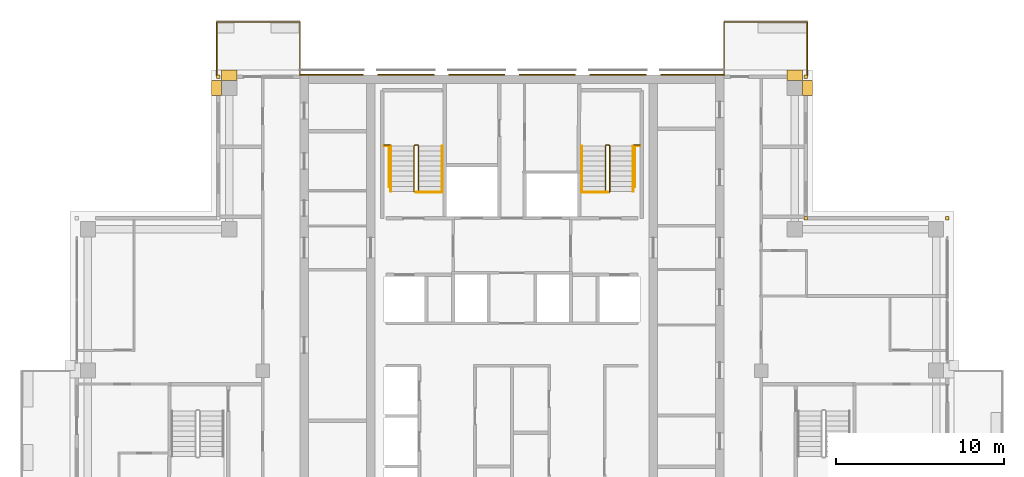
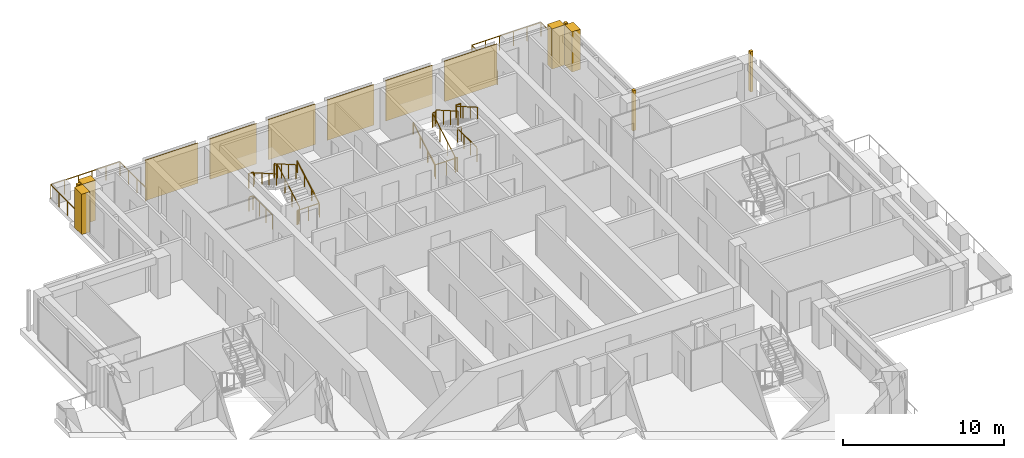
# One storey, part 17 of 17: 14 coverings, 14 railings.
"""IFC4 building model written with IfcOpenShell, lengths in metres."""

from ifc_helpers import new_model, si_unit, direction, frame, origin, origin_2d, place, context, subcontext, project, spatial, polyline, rectangle, outline, extrude, material, type_object, element, save


model = new_model("IFC4")

# Units and contexts
model_context = context("Model", 3, precision=1e-05, world=origin(), true_north=direction((0.0, 1.0)))
body_context = subcontext(model_context, "Body", "Model", "MODEL_VIEW")
ifc_project = project(units=[si_unit("LENGTHUNIT", "METRE"), si_unit("AREAUNIT", "SQUARE_METRE"), si_unit("VOLUMEUNIT", "CUBIC_METRE"), si_unit("PLANEANGLEUNIT", "RADIAN"), si_unit("MASSUNIT", "GRAM", prefix="KILO")], contexts=[model_context])

# Site, building, storey
site_placement = place(None, origin())
site = spatial("IfcSite", under=ifc_project, at=site_placement, CompositionType="ELEMENT")
building_placement = place(site_placement, origin())
building = spatial("IfcBuilding", under=site, at=building_placement, Name="Vermilion Ogive Tower", CompositionType="ELEMENT")
storey_placement = place(building_placement, frame((0.0, 0.0, 244.14990234375)))
storey = spatial("IfcBuildingStorey", under=building, at=storey_placement, Name="L64", CompositionType="ELEMENT", Elevation=244.14990234375)

# Railings
ifc_material_1 = material(Name="Stainless steel and glass", Category="steel")
railing_type_1 = type_object("IfcRailingType", Name="Balcony guard", PredefinedType="GUARDRAIL", material=ifc_material_1)
railing_1_placement = place(storey_placement, frame((17.550048828125, 21.75, -0.039794921875)))
element("IfcRailing", 1, at=railing_1_placement, inside=storey, type_object=railing_type_1, Name="Guard N101", PredefinedType="GUARDRAIL", context=body_context, shape_type="SweptSolid", body=[
    extrude(rectangle(XDim=0.048095703125, YDim=0.048095703125, at=origin_2d()), frame((0.0, 0.0, 1.076171875), z_axis=(0.0, 1.0, 0.0), x_axis=(-1.0, 0.0, 0.0)), (0.0, 0.0, 1.0), 3.159912109375),
    extrude(rectangle(XDim=0.048095703125, YDim=0.048095703125, at=origin_2d()), frame((0.0, 3.159912109375, 1.076171875), z_axis=(-1.0, 0.0, 0.0), x_axis=(0.0, -1.0, 0.0)), (0.0, 0.0, 1.0), 4.949951171875),
    extrude(rectangle(XDim=0.048095703125, YDim=0.048095703125, at=origin_2d()), frame((-4.949951171875, 3.159912109375, 1.076171875), z_axis=(0.0, -1.0, 0.0), x_axis=(1.0, 0.0, 0.0)), (0.0, 0.0, 1.0), 3.159912109375),
    extrude(rectangle(XDim=0.0419921875, YDim=0.0419921875, at=origin_2d()), origin(), (0.0, 0.0, 1.0), 1.052001953125),
    extrude(rectangle(XDim=0.0419921875, YDim=0.0419921875, at=origin_2d()), frame((0.0, 1.05322265625, 0.0)), (0.0, 0.0, 1.0), 1.052001953125),
    extrude(rectangle(XDim=0.0419921875, YDim=0.0419921875, at=origin_2d()), frame((0.0, 2.106689453125, 0.0)), (0.0, 0.0, 1.0), 1.052001953125),
    extrude(rectangle(XDim=0.0419921875, YDim=0.0419921875, at=origin_2d()), frame((0.0, 3.159912109375, 0.0)), (0.0, 0.0, 1.0), 1.052001953125),
    extrude(rectangle(XDim=0.0419921875, YDim=0.0419921875, at=origin_2d()), frame((-0.989990234375, 3.159912109375, 0.0)), (0.0, 0.0, 1.0), 1.052001953125),
    extrude(rectangle(XDim=0.0419921875, YDim=0.0419921875, at=origin_2d()), frame((-1.97998046875, 3.159912109375, 0.0)), (0.0, 0.0, 1.0), 1.052001953125),
    extrude(rectangle(XDim=0.0419921875, YDim=0.0419921875, at=origin_2d()), frame((-2.969970703125, 3.159912109375, 0.0)), (0.0, 0.0, 1.0), 1.052001953125),
    extrude(rectangle(XDim=0.0419921875, YDim=0.0419921875, at=origin_2d()), frame((-3.9599609375, 3.159912109375, 0.0)), (0.0, 0.0, 1.0), 1.052001953125),
    extrude(rectangle(XDim=0.0419921875, YDim=0.0419921875, at=origin_2d()), frame((-4.949951171875, 3.159912109375, 0.0)), (0.0, 0.0, 1.0), 1.052001953125),
    extrude(rectangle(XDim=0.0419921875, YDim=0.0419921875, at=origin_2d()), frame((-4.949951171875, 2.106689453125, 0.0)), (0.0, 0.0, 1.0), 1.052001953125),
    extrude(rectangle(XDim=0.0419921875, YDim=0.0419921875, at=origin_2d()), frame((-4.949951171875, 1.05322265625, 0.0)), (0.0, 0.0, 1.0), 1.052001953125),
    extrude(rectangle(XDim=0.0419921875, YDim=0.0419921875, at=origin_2d()), frame((-4.949951171875, 0.0, 0.0)), (0.0, 0.0, 1.0), 1.052001953125),
])
railing_2_placement = place(storey_placement, frame((-12.60009765625, 21.75, -0.039794921875)))
element("IfcRailing", 2, at=railing_2_placement, inside=storey, type_object=railing_type_1, Name="Guard N201", PredefinedType="GUARDRAIL", context=body_context, shape_type="SweptSolid", body=[
    extrude(rectangle(XDim=0.048095703125, YDim=0.048095703125, at=origin_2d()), frame((0.0, 0.0, 1.076171875), z_axis=(0.0, 1.0, 0.0), x_axis=(-1.0, 0.0, 0.0)), (0.0, 0.0, 1.0), 3.159912109375),
    extrude(rectangle(XDim=0.048095703125, YDim=0.048095703125, at=origin_2d()), frame((0.0, 3.159912109375, 1.076171875), z_axis=(-1.0, 0.0, 0.0), x_axis=(0.0, -1.0, 0.0)), (0.0, 0.0, 1.0), 4.949951171875),
    extrude(rectangle(XDim=0.048095703125, YDim=0.048095703125, at=origin_2d()), frame((-4.949951171875, 3.159912109375, 1.076171875), z_axis=(0.0, -1.0, 0.0), x_axis=(1.0, 0.0, 0.0)), (0.0, 0.0, 1.0), 3.159912109375),
    extrude(rectangle(XDim=0.0419921875, YDim=0.0419921875, at=origin_2d()), origin(), (0.0, 0.0, 1.0), 1.052001953125),
    extrude(rectangle(XDim=0.0419921875, YDim=0.0419921875, at=origin_2d()), frame((0.0, 1.05322265625, 0.0)), (0.0, 0.0, 1.0), 1.052001953125),
    extrude(rectangle(XDim=0.0419921875, YDim=0.0419921875, at=origin_2d()), frame((0.0, 2.106689453125, 0.0)), (0.0, 0.0, 1.0), 1.052001953125),
    extrude(rectangle(XDim=0.0419921875, YDim=0.0419921875, at=origin_2d()), frame((0.0, 3.159912109375, 0.0)), (0.0, 0.0, 1.0), 1.052001953125),
    extrude(rectangle(XDim=0.0419921875, YDim=0.0419921875, at=origin_2d()), frame((-0.989990234375, 3.159912109375, 0.0)), (0.0, 0.0, 1.0), 1.052001953125),
    extrude(rectangle(XDim=0.0419921875, YDim=0.0419921875, at=origin_2d()), frame((-1.97998046875, 3.159912109375, 0.0)), (0.0, 0.0, 1.0), 1.052001953125),
    extrude(rectangle(XDim=0.0419921875, YDim=0.0419921875, at=origin_2d()), frame((-2.969970703125, 3.159912109375, 0.0)), (0.0, 0.0, 1.0), 1.052001953125),
    extrude(rectangle(XDim=0.0419921875, YDim=0.0419921875, at=origin_2d()), frame((-3.9599609375, 3.159912109375, 0.0)), (0.0, 0.0, 1.0), 1.052001953125),
    extrude(rectangle(XDim=0.0419921875, YDim=0.0419921875, at=origin_2d()), frame((-4.949951171875, 3.159912109375, 0.0)), (0.0, 0.0, 1.0), 1.052001953125),
    extrude(rectangle(XDim=0.0419921875, YDim=0.0419921875, at=origin_2d()), frame((-4.949951171875, 2.106689453125, 0.0)), (0.0, 0.0, 1.0), 1.052001953125),
    extrude(rectangle(XDim=0.0419921875, YDim=0.0419921875, at=origin_2d()), frame((-4.949951171875, 1.05322265625, 0.0)), (0.0, 0.0, 1.0), 1.052001953125),
    extrude(rectangle(XDim=0.0419921875, YDim=0.0419921875, at=origin_2d()), frame((-4.949951171875, 0.0, 0.0)), (0.0, 0.0, 1.0), 1.052001953125),
])
ifc_material_2 = material(Name="Steel S355 painted", Category="steel")
railing_type_2 = type_object("IfcRailingType", Name="Stair guard 1100", PredefinedType="GUARDRAIL", material=ifc_material_2)
railing_3_placement = place(storey_placement, frame((-5.75, 14.800048828125, 0.0)))
element("IfcRailing", 3, at=railing_3_placement, inside=storey, type_object=railing_type_2, Name="L64 ST1 stair guard 4", PredefinedType="GUARDRAIL", context=body_context, shape_type="SweptSolid", body=[
    extrude(rectangle(XDim=0.048095703125, YDim=0.048095703125, at=origin_2d()), frame((0.0, 0.0, 1.076171875), z_axis=(1.0, 0.0, 0.0), x_axis=(0.0, 1.0, 0.0)), (0.0, 0.0, 1.0), 0.14990234375),
    extrude(rectangle(XDim=0.048095703125, YDim=0.048095703125, at=origin_2d()), frame((0.14990234375, 0.0, 1.076171875), z_axis=(0.268277960024, 0.268277960024, 0.925231793839), x_axis=(-0.707106781187, 0.707106781187, 0.0)), (0.0, 0.0, 1.0), 0.1865234375),
    extrude(rectangle(XDim=0.048095703125, YDim=0.048095703125, at=origin_2d()), frame((0.199951171875, 0.050048828125, 1.24853515625), z_axis=(0.0, 0.866903762492, 0.498475542607), x_axis=(-1.0, 0.0, 0.0)), (0.0, 0.0, 1.0), 3.114501953125),
    extrude(rectangle(XDim=0.048095703125, YDim=0.048095703125, at=origin_2d()), frame((0.199951171875, 2.75, 2.80126953125), z_axis=(-0.707106781187, 0.707106781187, 0.0), x_axis=(-0.707106781187, -0.707106781187, 0.0)), (0.0, 0.0, 1.0), 0.07080078125),
    extrude(rectangle(XDim=0.048095703125, YDim=0.048095703125, at=origin_2d()), frame((0.14990234375, 2.800048828125, 2.80126953125), z_axis=(-1.0, 0.0, 0.0), x_axis=(0.0, -1.0, 0.0)), (0.0, 0.0, 1.0), 0.14990234375),
    extrude(rectangle(XDim=0.048095703125, YDim=0.048095703125, at=origin_2d()), frame((0.0, 2.800048828125, 2.80126953125), z_axis=(-0.268277960024, -0.268277960024, 0.925231793839), x_axis=(0.707106781187, -0.707106781187, 0.0)), (0.0, 0.0, 1.0), 0.1865234375),
    extrude(rectangle(XDim=0.048095703125, YDim=0.048095703125, at=origin_2d()), frame((-0.050048828125, 2.75, 2.9736328125), z_axis=(0.0, -0.866903762492, 0.498475542607), x_axis=(1.0, 0.0, 0.0)), (0.0, 0.0, 1.0), 3.114501953125),
    extrude(rectangle(XDim=0.0419921875, YDim=0.0419921875, at=origin_2d()), origin(), (0.0, 0.0, 1.0), 1.052001953125),
    extrude(rectangle(XDim=0.0419921875, YDim=0.0419921875, at=origin_2d()), frame((0.14990234375, 0.0, 0.0)), (0.0, 0.0, 1.0), 1.052001953125),
    extrude(rectangle(XDim=0.0419921875, YDim=0.0419921875, at=origin_2d()), frame((0.199951171875, 0.050048828125, 0.172607421875)), (0.0, 0.0, 1.0), 1.052001953125),
    extrude(rectangle(XDim=0.0419921875, YDim=0.0419921875, at=origin_2d()), frame((0.199951171875, 0.949951171875, 0.690185546875)), (0.0, 0.0, 1.0), 1.052001953125),
    extrude(rectangle(XDim=0.0419921875, YDim=0.0419921875, at=origin_2d()), frame((0.199951171875, 1.85009765625, 1.20751953125)), (0.0, 0.0, 1.0), 1.052001953125),
    extrude(rectangle(XDim=0.0419921875, YDim=0.0419921875, at=origin_2d()), frame((0.199951171875, 2.75, 1.72509765625)), (0.0, 0.0, 1.0), 1.052001953125),
    extrude(rectangle(XDim=0.0419921875, YDim=0.0419921875, at=origin_2d()), frame((0.14990234375, 2.800048828125, 1.72509765625)), (0.0, 0.0, 1.0), 1.052001953125),
    extrude(rectangle(XDim=0.0419921875, YDim=0.0419921875, at=origin_2d()), frame((0.0, 2.800048828125, 1.72509765625)), (0.0, 0.0, 1.0), 1.052001953125),
    extrude(rectangle(XDim=0.0419921875, YDim=0.0419921875, at=origin_2d()), frame((-0.050048828125, 2.75, 1.897705078125)), (0.0, 0.0, 1.0), 1.052001953125),
    extrude(rectangle(XDim=0.0419921875, YDim=0.0419921875, at=origin_2d()), frame((-0.050048828125, 1.85009765625, 2.415283203125)), (0.0, 0.0, 1.0), 1.052001953125),
    extrude(rectangle(XDim=0.0419921875, YDim=0.0419921875, at=origin_2d()), frame((-0.050048828125, 0.949951171875, 2.9326171875)), (0.0, 0.0, 1.0), 1.052001953125),
    extrude(rectangle(XDim=0.0419921875, YDim=0.0419921875, at=origin_2d()), frame((-0.050048828125, 0.050048828125, 3.4501953125)), (0.0, 0.0, 1.0), 1.052001953125),
])
railing_4_placement = place(storey_placement, frame((5.75, 14.800048828125, 0.0)))
element("IfcRailing", 4, at=railing_4_placement, inside=storey, type_object=railing_type_2, Name="L64 ST2 stair guard 4", PredefinedType="GUARDRAIL", context=body_context, shape_type="SweptSolid", body=[
    extrude(rectangle(XDim=0.048095703125, YDim=0.048095703125, at=origin_2d()), frame((0.0, 0.0, 1.076171875), z_axis=(-1.0, 0.0, 0.0), x_axis=(0.0, -1.0, 0.0)), (0.0, 0.0, 1.0), 0.14990234375),
    extrude(rectangle(XDim=0.048095703125, YDim=0.048095703125, at=origin_2d()), frame((-0.14990234375, 0.0, 1.076171875), z_axis=(-0.268277960024, 0.268277960024, 0.925231793839), x_axis=(-0.707106781187, -0.707106781187, 0.0)), (0.0, 0.0, 1.0), 0.1865234375),
    extrude(rectangle(XDim=0.048095703125, YDim=0.048095703125, at=origin_2d()), frame((-0.199951171875, 0.050048828125, 1.24853515625), z_axis=(0.0, 0.866903762492, 0.498475542607), x_axis=(-1.0, 0.0, 0.0)), (0.0, 0.0, 1.0), 3.114501953125),
    extrude(rectangle(XDim=0.048095703125, YDim=0.048095703125, at=origin_2d()), frame((-0.199951171875, 2.75, 2.80126953125), z_axis=(0.707106781187, 0.707106781187, 0.0), x_axis=(-0.707106781187, 0.707106781187, 0.0)), (0.0, 0.0, 1.0), 0.07080078125),
    extrude(rectangle(XDim=0.048095703125, YDim=0.048095703125, at=origin_2d()), frame((-0.14990234375, 2.800048828125, 2.80126953125), z_axis=(1.0, 0.0, 0.0), x_axis=(0.0, 1.0, 0.0)), (0.0, 0.0, 1.0), 0.14990234375),
    extrude(rectangle(XDim=0.048095703125, YDim=0.048095703125, at=origin_2d()), frame((0.0, 2.800048828125, 2.80126953125), z_axis=(0.268277960024, -0.268277960024, 0.925231793839), x_axis=(0.707106781187, 0.707106781187, 0.0)), (0.0, 0.0, 1.0), 0.1865234375),
    extrude(rectangle(XDim=0.048095703125, YDim=0.048095703125, at=origin_2d()), frame((0.050048828125, 2.75, 2.9736328125), z_axis=(0.0, -0.866903762492, 0.498475542607), x_axis=(1.0, 0.0, 0.0)), (0.0, 0.0, 1.0), 3.114501953125),
    extrude(rectangle(XDim=0.0419921875, YDim=0.0419921875, at=origin_2d()), origin(), (0.0, 0.0, 1.0), 1.052001953125),
    extrude(rectangle(XDim=0.0419921875, YDim=0.0419921875, at=origin_2d()), frame((-0.14990234375, 0.0, 0.0)), (0.0, 0.0, 1.0), 1.052001953125),
    extrude(rectangle(XDim=0.0419921875, YDim=0.0419921875, at=origin_2d()), frame((-0.199951171875, 0.050048828125, 0.172607421875)), (0.0, 0.0, 1.0), 1.052001953125),
    extrude(rectangle(XDim=0.0419921875, YDim=0.0419921875, at=origin_2d()), frame((-0.199951171875, 0.949951171875, 0.690185546875)), (0.0, 0.0, 1.0), 1.052001953125),
    extrude(rectangle(XDim=0.0419921875, YDim=0.0419921875, at=origin_2d()), frame((-0.199951171875, 1.85009765625, 1.20751953125)), (0.0, 0.0, 1.0), 1.052001953125),
    extrude(rectangle(XDim=0.0419921875, YDim=0.0419921875, at=origin_2d()), frame((-0.199951171875, 2.75, 1.72509765625)), (0.0, 0.0, 1.0), 1.052001953125),
    extrude(rectangle(XDim=0.0419921875, YDim=0.0419921875, at=origin_2d()), frame((-0.14990234375, 2.800048828125, 1.72509765625)), (0.0, 0.0, 1.0), 1.052001953125),
    extrude(rectangle(XDim=0.0419921875, YDim=0.0419921875, at=origin_2d()), frame((0.0, 2.800048828125, 1.72509765625)), (0.0, 0.0, 1.0), 1.052001953125),
    extrude(rectangle(XDim=0.0419921875, YDim=0.0419921875, at=origin_2d()), frame((0.050048828125, 2.75, 1.897705078125)), (0.0, 0.0, 1.0), 1.052001953125),
    extrude(rectangle(XDim=0.0419921875, YDim=0.0419921875, at=origin_2d()), frame((0.050048828125, 1.85009765625, 2.415283203125)), (0.0, 0.0, 1.0), 1.052001953125),
    extrude(rectangle(XDim=0.0419921875, YDim=0.0419921875, at=origin_2d()), frame((0.050048828125, 0.949951171875, 2.9326171875)), (0.0, 0.0, 1.0), 1.052001953125),
    extrude(rectangle(XDim=0.0419921875, YDim=0.0419921875, at=origin_2d()), frame((0.050048828125, 0.050048828125, 3.4501953125)), (0.0, 0.0, 1.0), 1.052001953125),
])
for number, where, name in (
    (5, (-7.60009765625, 17.60009765625, 1.72509765625), "L64 landing guard"),
    (6, (7.25, 17.60009765625, 1.72509765625), "L64 landing guard"),
):
    element("IfcRailing", number, at=place(storey_placement, frame(where)), inside=storey, type_object=railing_type_2, Name=name, PredefinedType="GUARDRAIL", context=body_context, shape_type="SweptSolid", body=[
        extrude(rectangle(XDim=0.048095703125, YDim=0.048095703125, at=origin_2d()), frame((0.0, 0.0, 1.076171875), z_axis=(1.0, 0.0, 0.0), x_axis=(0.0, 1.0, 0.0)), (0.0, 0.0, 1.0), 0.35009765625),
        extrude(rectangle(XDim=0.0419921875, YDim=0.0419921875, at=origin_2d()), origin(), (0.0, 0.0, 1.0), 1.052001953125),
        extrude(rectangle(XDim=0.0419921875, YDim=0.0419921875, at=origin_2d()), frame((0.35009765625, 0.0, 0.0)), (0.0, 0.0, 1.0), 1.052001953125),
    ])
railing_5_placement = place(storey_placement, frame((-4.159912109375, 14.7900390625, 0.0)))
element("IfcRailing", 7, at=railing_5_placement, inside=storey, type_object=railing_type_2, Name="L64 stair opening guard", PredefinedType="GUARDRAIL", context=body_context, shape_type="SweptSolid", body=[
    extrude(rectangle(XDim=0.048095703125, YDim=0.048095703125, at=origin_2d()), frame((0.0, 0.0, 1.076171875), z_axis=(-1.0, 0.0, 0.0), x_axis=(0.0, -1.0, 0.0)), (0.0, 0.0, 1.0), 1.5400390625),
    extrude(rectangle(XDim=0.0419921875, YDim=0.0419921875, at=origin_2d()), origin(), (0.0, 0.0, 1.0), 1.052001953125),
    extrude(rectangle(XDim=0.0419921875, YDim=0.0419921875, at=origin_2d()), frame((-0.77001953125, 0.0, 0.0)), (0.0, 0.0, 1.0), 1.052001953125),
    extrude(rectangle(XDim=0.0419921875, YDim=0.0419921875, at=origin_2d()), frame((-1.5400390625, 0.0, 0.0)), (0.0, 0.0, 1.0), 1.052001953125),
])
railing_6_placement = place(storey_placement, frame((-7.3095703125, 15.11865234375, 0.0)))
element("IfcRailing", 8, at=railing_6_placement, inside=storey, type_object=railing_type_2, Name="L64 stair opening guard", PredefinedType="GUARDRAIL", context=body_context, shape_type="SweptSolid", body=[
    extrude(rectangle(XDim=0.048095703125, YDim=0.048095703125, at=origin_2d()), frame((0.0, 0.0, 1.076171875), z_axis=(0.0, 1.0, 0.0), x_axis=(-1.0, 0.0, 0.0)), (0.0, 0.0, 1.0), 2.42431640625),
    extrude(rectangle(XDim=0.048095703125, YDim=0.048095703125, at=origin_2d()), frame((0.0, 2.42431640625, 1.076171875), z_axis=(-1.0, 0.0, 0.0), x_axis=(0.0, -1.0, 0.0)), (0.0, 0.0, 1.0), 0.2900390625),
    extrude(rectangle(XDim=0.0419921875, YDim=0.0419921875, at=origin_2d()), origin(), (0.0, 0.0, 1.0), 1.052001953125),
    extrude(rectangle(XDim=0.0419921875, YDim=0.0419921875, at=origin_2d()), frame((0.0, 0.80810546875, 0.0)), (0.0, 0.0, 1.0), 1.052001953125),
    extrude(rectangle(XDim=0.0419921875, YDim=0.0419921875, at=origin_2d()), frame((0.0, 1.6162109375, 0.0)), (0.0, 0.0, 1.0), 1.052001953125),
    extrude(rectangle(XDim=0.0419921875, YDim=0.0419921875, at=origin_2d()), frame((0.0, 2.42431640625, 0.0)), (0.0, 0.0, 1.0), 1.052001953125),
    extrude(rectangle(XDim=0.0419921875, YDim=0.0419921875, at=origin_2d()), frame((-0.2900390625, 2.42431640625, 0.0)), (0.0, 0.0, 1.0), 1.052001953125),
])
railing_7_placement = place(storey_placement, frame((7.599609375, 17.54296875, 0.0)))
element("IfcRailing", 9, at=railing_7_placement, inside=storey, type_object=railing_type_2, Name="L64 stair opening guard", PredefinedType="GUARDRAIL", context=body_context, shape_type="SweptSolid", body=[
    extrude(rectangle(XDim=0.048095703125, YDim=0.048095703125, at=origin_2d()), frame((0.0, 0.0, 1.076171875), z_axis=(-1.0, 0.0, 0.0), x_axis=(0.0, -1.0, 0.0)), (0.0, 0.0, 1.0), 0.2900390625),
    extrude(rectangle(XDim=0.048095703125, YDim=0.048095703125, at=origin_2d()), frame((-0.2900390625, 0.0, 1.076171875), z_axis=(0.0, -1.0, 0.0), x_axis=(1.0, 0.0, 0.0)), (0.0, 0.0, 1.0), 2.42431640625),
    extrude(rectangle(XDim=0.0419921875, YDim=0.0419921875, at=origin_2d()), origin(), (0.0, 0.0, 1.0), 1.052001953125),
    extrude(rectangle(XDim=0.0419921875, YDim=0.0419921875, at=origin_2d()), frame((-0.2900390625, 0.0, 0.0)), (0.0, 0.0, 1.0), 1.052001953125),
    extrude(rectangle(XDim=0.0419921875, YDim=0.0419921875, at=origin_2d()), frame((-0.2900390625, -0.80810546875, 0.0)), (0.0, 0.0, 1.0), 1.052001953125),
    extrude(rectangle(XDim=0.0419921875, YDim=0.0419921875, at=origin_2d()), frame((-0.2900390625, -1.6162109375, 0.0)), (0.0, 0.0, 1.0), 1.052001953125),
    extrude(rectangle(XDim=0.0419921875, YDim=0.0419921875, at=origin_2d()), frame((-0.2900390625, -2.42431640625, 0.0)), (0.0, 0.0, 1.0), 1.052001953125),
])
railing_8_placement = place(storey_placement, frame((5.699951171875, 14.7900390625, 0.0)))
element("IfcRailing", 10, at=railing_8_placement, inside=storey, type_object=railing_type_2, Name="L64 stair opening guard", PredefinedType="GUARDRAIL", context=body_context, shape_type="SweptSolid", body=[
    extrude(rectangle(XDim=0.048095703125, YDim=0.048095703125, at=origin_2d()), frame((0.0, 0.0, 1.076171875), z_axis=(-1.0, 0.0, 0.0), x_axis=(0.0, -1.0, 0.0)), (0.0, 0.0, 1.0), 1.5400390625),
    extrude(rectangle(XDim=0.0419921875, YDim=0.0419921875, at=origin_2d()), origin(), (0.0, 0.0, 1.0), 1.052001953125),
    extrude(rectangle(XDim=0.0419921875, YDim=0.0419921875, at=origin_2d()), frame((-0.77001953125, 0.0, 0.0)), (0.0, 0.0, 1.0), 1.052001953125),
    extrude(rectangle(XDim=0.0419921875, YDim=0.0419921875, at=origin_2d()), frame((-1.5400390625, 0.0, 0.0)), (0.0, 0.0, 1.0), 1.052001953125),
])
ifc_material_3 = material(Name="Stainless steel", Category="steel")
railing_type_3 = type_object("IfcRailingType", Name="Stair handrail 900", PredefinedType="HANDRAIL", material=ifc_material_3)
railing_9_placement = place(storey_placement, frame((-4.14990234375, 14.85009765625, 0.172607421875)))
element("IfcRailing", 11, at=railing_9_placement, inside=storey, type_object=railing_type_3, Name="L64 ST1 stair handrail 1", PredefinedType="HANDRAIL", context=body_context, shape_type="SweptSolid", body=[
    extrude(rectangle(XDim=0.048095703125, YDim=0.048095703125, at=origin_2d()), frame((0.0, 0.0, 0.8759765625), z_axis=(0.0, 0.866903762492, 0.498475542607), x_axis=(-1.0, 0.0, 0.0)), (0.0, 0.0, 1.0), 3.114501953125),
    extrude(rectangle(XDim=0.0419921875, YDim=0.0419921875, at=origin_2d()), origin(), (0.0, 0.0, 1.0), 0.851806640625),
    extrude(rectangle(XDim=0.0419921875, YDim=0.0419921875, at=origin_2d()), frame((0.0, 0.89990234375, 0.517578125)), (0.0, 0.0, 1.0), 0.851806640625),
    extrude(rectangle(XDim=0.0419921875, YDim=0.0419921875, at=origin_2d()), frame((0.0, 1.800048828125, 1.034912109375)), (0.0, 0.0, 1.0), 0.851806640625),
    extrude(rectangle(XDim=0.0419921875, YDim=0.0419921875, at=origin_2d()), frame((0.0, 2.699951171875, 1.552490234375)), (0.0, 0.0, 1.0), 0.851806640625),
])
railing_10_placement = place(storey_placement, frame((-7.199951171875, 17.550048828125, 1.897705078125)))
element("IfcRailing", 12, at=railing_10_placement, inside=storey, type_object=railing_type_3, Name="L64 ST1 stair handrail 2", PredefinedType="HANDRAIL", context=body_context, shape_type="SweptSolid", body=[
    extrude(rectangle(XDim=0.048095703125, YDim=0.048095703125, at=origin_2d()), frame((0.0, 0.0, 0.8759765625), z_axis=(0.0, -0.866903762492, 0.498475542607), x_axis=(1.0, 0.0, 0.0)), (0.0, 0.0, 1.0), 3.114501953125),
    extrude(rectangle(XDim=0.0419921875, YDim=0.0419921875, at=origin_2d()), origin(), (0.0, 0.0, 1.0), 0.851806640625),
    extrude(rectangle(XDim=0.0419921875, YDim=0.0419921875, at=origin_2d()), frame((0.0, -0.89990234375, 0.517578125)), (0.0, 0.0, 1.0), 0.851806640625),
    extrude(rectangle(XDim=0.0419921875, YDim=0.0419921875, at=origin_2d()), frame((0.0, -1.800048828125, 1.034912109375)), (0.0, 0.0, 1.0), 0.851806640625),
    extrude(rectangle(XDim=0.0419921875, YDim=0.0419921875, at=origin_2d()), frame((0.0, -2.699951171875, 1.552490234375)), (0.0, 0.0, 1.0), 0.851806640625),
])
railing_11_placement = place(storey_placement, frame((4.14990234375, 14.85009765625, 0.172607421875)))
element("IfcRailing", 13, at=railing_11_placement, inside=storey, type_object=railing_type_3, Name="L64 ST2 stair handrail 1", PredefinedType="HANDRAIL", context=body_context, shape_type="SweptSolid", body=[
    extrude(rectangle(XDim=0.048095703125, YDim=0.048095703125, at=origin_2d()), frame((0.0, 0.0, 0.8759765625), z_axis=(0.0, 0.866903762492, 0.498475542607), x_axis=(-1.0, 0.0, 0.0)), (0.0, 0.0, 1.0), 3.114501953125),
    extrude(rectangle(XDim=0.0419921875, YDim=0.0419921875, at=origin_2d()), origin(), (0.0, 0.0, 1.0), 0.851806640625),
    extrude(rectangle(XDim=0.0419921875, YDim=0.0419921875, at=origin_2d()), frame((0.0, 0.89990234375, 0.517578125)), (0.0, 0.0, 1.0), 0.851806640625),
    extrude(rectangle(XDim=0.0419921875, YDim=0.0419921875, at=origin_2d()), frame((0.0, 1.800048828125, 1.034912109375)), (0.0, 0.0, 1.0), 0.851806640625),
    extrude(rectangle(XDim=0.0419921875, YDim=0.0419921875, at=origin_2d()), frame((0.0, 2.699951171875, 1.552490234375)), (0.0, 0.0, 1.0), 0.851806640625),
])
railing_12_placement = place(storey_placement, frame((7.199951171875, 17.550048828125, 1.897705078125)))
element("IfcRailing", 14, at=railing_12_placement, inside=storey, type_object=railing_type_3, Name="L64 ST2 stair handrail 2", PredefinedType="HANDRAIL", context=body_context, shape_type="SweptSolid", body=[
    extrude(rectangle(XDim=0.048095703125, YDim=0.048095703125, at=origin_2d()), frame((0.0, 0.0, 0.8759765625), z_axis=(0.0, -0.866903762492, 0.498475542607), x_axis=(1.0, 0.0, 0.0)), (0.0, 0.0, 1.0), 3.114501953125),
    extrude(rectangle(XDim=0.0419921875, YDim=0.0419921875, at=origin_2d()), origin(), (0.0, 0.0, 1.0), 0.851806640625),
    extrude(rectangle(XDim=0.0419921875, YDim=0.0419921875, at=origin_2d()), frame((0.0, -0.89990234375, 0.517578125)), (0.0, 0.0, 1.0), 0.851806640625),
    extrude(rectangle(XDim=0.0419921875, YDim=0.0419921875, at=origin_2d()), frame((0.0, -1.800048828125, 1.034912109375)), (0.0, 0.0, 1.0), 0.851806640625),
    extrude(rectangle(XDim=0.0419921875, YDim=0.0419921875, at=origin_2d()), frame((0.0, -2.699951171875, 1.552490234375)), (0.0, 0.0, 1.0), 0.851806640625),
])

# Coverings
ifc_material_4 = material(Name="Stone cladding", Category="masonry")
covering_type_1 = type_object("IfcCoveringType", Name="Stone cladding panel", PredefinedType="CLADDING", material=ifc_material_4)
covering_1_placement = place(storey_placement, origin())
element("IfcCovering", 15, at=covering_1_placement, inside=storey, type_object=covering_type_1, Name="Stone cladding panel N1", PredefinedType="CLADDING", context=body_context, shape_type="SweptSolid", body=[
    extrude(outline(polyline([(-12.590087890625, 21.75), (-8.830078125, 21.75), (-8.830078125, 21.81005859375), (-12.590087890625, 21.81005859375), (-12.590087890625, 21.75)])), origin(), (0.0, 0.0, 1.0), 3.050048828125),
])
covering_2_placement = place(storey_placement, origin())
element("IfcCovering", 16, at=covering_2_placement, inside=storey, type_object=covering_type_1, Name="Stone cladding panel N2", PredefinedType="CLADDING", context=body_context, shape_type="SweptSolid", body=[
    extrude(outline(polyline([(-7.969970703125, 21.75), (-4.6298828125, 21.75), (-4.6298828125, 21.81005859375), (-7.969970703125, 21.81005859375), (-7.969970703125, 21.75)])), origin(), (0.0, 0.0, 1.0), 3.050048828125),
])
covering_3_placement = place(storey_placement, origin())
element("IfcCovering", 17, at=covering_3_placement, inside=storey, type_object=covering_type_1, Name="Stone cladding panel N3", PredefinedType="CLADDING", context=body_context, shape_type="SweptSolid", body=[
    extrude(outline(polyline([(-3.77001953125, 21.75), (-0.429931640625, 21.75), (-0.429931640625, 21.81005859375), (-3.77001953125, 21.81005859375), (-3.77001953125, 21.75)])), origin(), (0.0, 0.0, 1.0), 3.050048828125),
])
covering_4_placement = place(storey_placement, origin())
element("IfcCovering", 18, at=covering_4_placement, inside=storey, type_object=covering_type_1, Name="Stone cladding panel N4", PredefinedType="CLADDING", context=body_context, shape_type="SweptSolid", body=[
    extrude(outline(polyline([(0.429931640625, 21.75), (3.77001953125, 21.75), (3.77001953125, 21.81005859375), (0.429931640625, 21.81005859375), (0.429931640625, 21.75)])), origin(), (0.0, 0.0, 1.0), 3.050048828125),
])
covering_5_placement = place(storey_placement, origin())
element("IfcCovering", 19, at=covering_5_placement, inside=storey, type_object=covering_type_1, Name="Stone cladding panel N5", PredefinedType="CLADDING", context=body_context, shape_type="SweptSolid", body=[
    extrude(outline(polyline([(4.6298828125, 21.75), (7.969970703125, 21.75), (7.969970703125, 21.81005859375), (4.6298828125, 21.81005859375), (4.6298828125, 21.75)])), origin(), (0.0, 0.0, 1.0), 3.050048828125),
])
covering_6_placement = place(storey_placement, origin())
element("IfcCovering", 20, at=covering_6_placement, inside=storey, type_object=covering_type_1, Name="Stone cladding panel N6", PredefinedType="CLADDING", context=body_context, shape_type="SweptSolid", body=[
    extrude(outline(polyline([(8.830078125, 21.75), (12.590087890625, 21.75), (12.590087890625, 21.81005859375), (8.830078125, 21.81005859375), (8.830078125, 21.75)])), origin(), (0.0, 0.0, 1.0), 3.050048828125),
])
ifc_material_5 = material(Name="Stone cladding", Category="masonry")
covering_type_2 = type_object("IfcCoveringType", Name="Stone pier", PredefinedType="CLADDING", material=ifc_material_5)
covering_7_placement = place(storey_placement, origin())
element("IfcCovering", 21, at=covering_7_placement, inside=storey, type_object=covering_type_2, Name="Stone corner pier EE1", PredefinedType="CLADDING", context=body_context, shape_type="SweptSolid", body=[
    extrude(outline(polyline([(25.75, 13.14990234375), (25.75, 13.35009765625), (25.949951171875, 13.35009765625), (25.949951171875, 13.14990234375), (25.75, 13.14990234375)])), origin(), (0.0, 0.0, 1.0), 3.050048828125),
])
covering_8_placement = place(storey_placement, origin())
element("IfcCovering", 22, at=covering_8_placement, inside=storey, type_object=covering_type_2, Name="Stone corner pier X3E1", PredefinedType="CLADDING", context=body_context, shape_type="SweptSolid", body=[
    extrude(outline(polyline([(17.35009765625, 13.14990234375), (17.35009765625, 13.35009765625), (17.550048828125, 13.35009765625), (17.550048828125, 13.14990234375), (17.35009765625, 13.14990234375)])), origin(), (0.0, 0.0, 1.0), 3.050048828125),
])
covering_9_placement = place(storey_placement, origin())
element("IfcCovering", 23, at=covering_9_placement, inside=storey, type_object=covering_type_2, Name="Stone corner pier X4E1", PredefinedType="CLADDING", context=body_context, shape_type="SweptSolid", body=[
    extrude(outline(polyline([(17.35009765625, 21.550048828125), (17.35009765625, 21.75), (17.550048828125, 21.75), (17.550048828125, 21.550048828125), (17.35009765625, 21.550048828125)])), origin(), (0.0, 0.0, 1.0), 3.050048828125),
])
covering_10_placement = place(storey_placement, origin())
element("IfcCovering", 24, at=covering_10_placement, inside=storey, type_object=covering_type_2, Name="Stone corner pier N2E1", PredefinedType="CLADDING", context=body_context, shape_type="SweptSolid", body=[
    extrude(outline(polyline([(-17.35009765625, 21.550048828125), (-17.550048828125, 21.550048828125), (-17.550048828125, 21.75), (-17.35009765625, 21.75), (-17.35009765625, 21.550048828125)])), origin(), (0.0, 0.0, 1.0), 3.050048828125),
])
covering_11_placement = place(storey_placement, origin())
element("IfcCovering", 25, at=covering_11_placement, inside=storey, type_object=covering_type_2, Name="Stone pier P+0168+210X4", PredefinedType="CLADDING", context=body_context, shape_type="SweptSolid", body=[
    extrude(outline(polyline([(17.85009765625, 21.449951171875), (17.85009765625, 20.550048828125), (17.25, 20.550048828125), (17.25, 21.449951171875), (17.85009765625, 21.449951171875)])), origin(), (0.0, 0.0, 1.0), 3.050048828125),
])
covering_12_placement = place(storey_placement, origin())
element("IfcCovering", 26, at=covering_12_placement, inside=storey, type_object=covering_type_2, Name="Stone pier P+0168+210N1", PredefinedType="CLADDING", context=body_context, shape_type="SweptSolid", body=[
    extrude(outline(polyline([(17.25, 22.050048828125), (17.25, 21.449951171875), (16.35009765625, 21.449951171875), (16.35009765625, 22.050048828125), (17.25, 22.050048828125)])), origin(), (0.0, 0.0, 1.0), 3.050048828125),
])
covering_13_placement = place(storey_placement, origin())
element("IfcCovering", 27, at=covering_13_placement, inside=storey, type_object=covering_type_2, Name="Stone pier P-0168+210N2", PredefinedType="CLADDING", context=body_context, shape_type="SweptSolid", body=[
    extrude(outline(polyline([(-17.25, 21.449951171875), (-17.25, 22.050048828125), (-16.35009765625, 22.050048828125), (-16.35009765625, 21.449951171875), (-17.25, 21.449951171875), (-17.25, 21.449951171875)])), origin(), (0.0, 0.0, 1.0), 3.050048828125),
])
covering_14_placement = place(storey_placement, origin())
element("IfcCovering", 28, at=covering_14_placement, inside=storey, type_object=covering_type_2, Name="Stone pier P-0168+210X5", PredefinedType="CLADDING", context=body_context, shape_type="SweptSolid", body=[
    extrude(outline(polyline([(-17.85009765625, 21.449951171875), (-17.25, 21.449951171875), (-17.25, 21.449951171875), (-17.25, 20.550048828125), (-17.85009765625, 20.550048828125), (-17.85009765625, 21.449951171875)])), origin(), (0.0, 0.0, 1.0), 3.050048828125),
])

save(model, "model.ifc")
